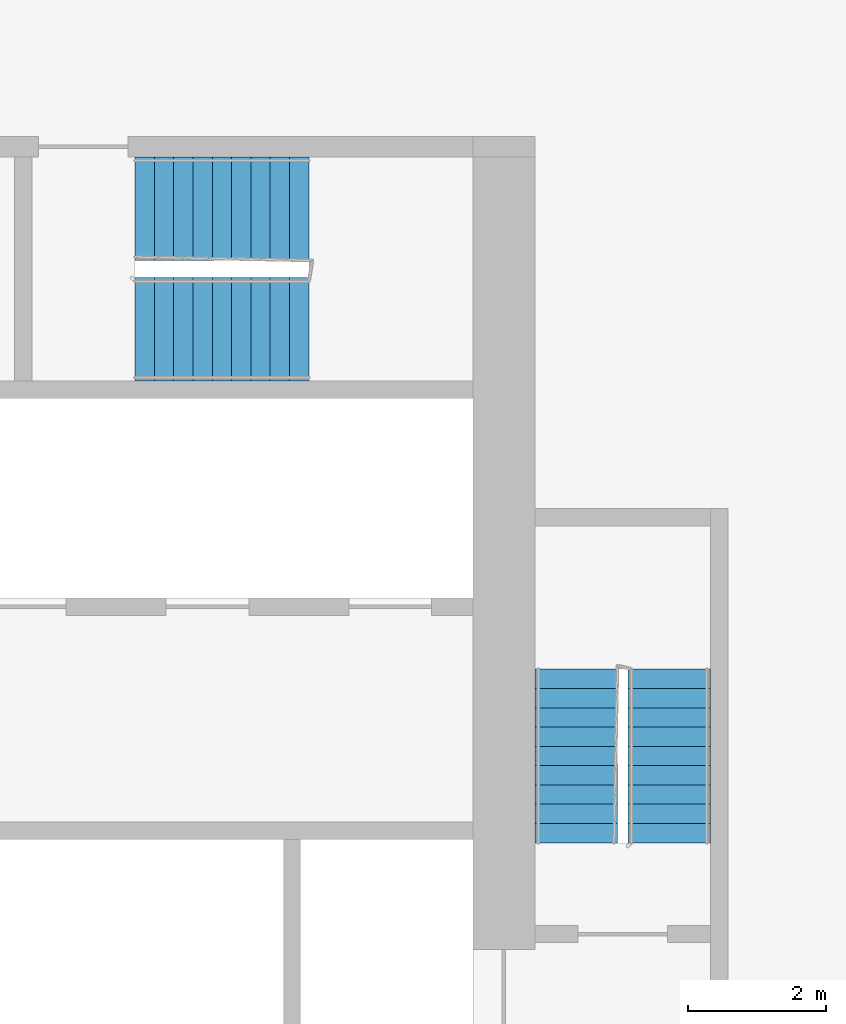
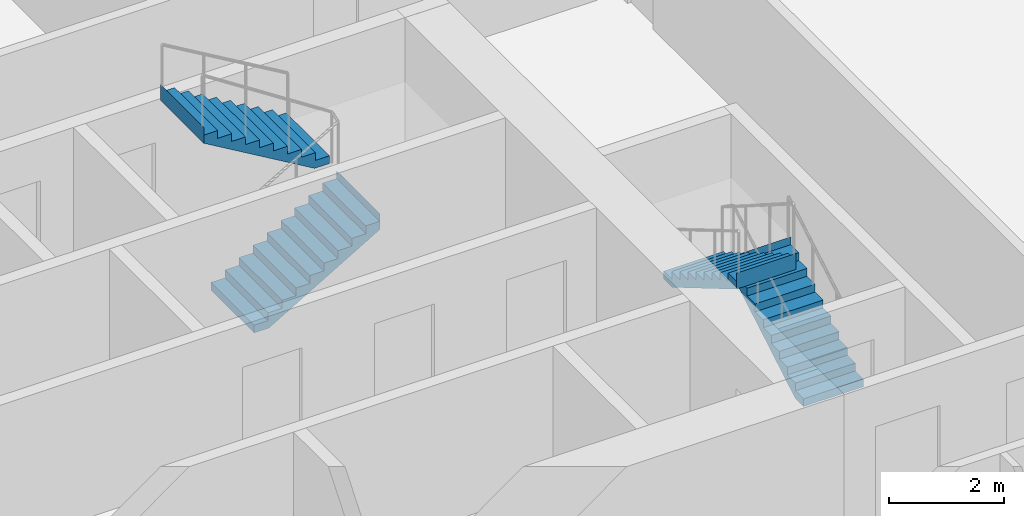
# One storey, part 11 of 12: 4 stair flights, 2 elements without a shape of their own.
"""IFC4 building model written with IfcOpenShell, lengths in metres."""

from ifc_helpers import new_model, si_unit, direction, frame, origin, place, context, subcontext, project, spatial, faceted_brep, material, type_object, element, aggregate, save


model = new_model("IFC4")

# Units and contexts
model_context = context("Model", 3, precision=1e-05, world=origin(), true_north=direction((0.0, 1.0)))
body_context = subcontext(model_context, "Body", "Model", "MODEL_VIEW")
ifc_project = project(units=[si_unit("LENGTHUNIT", "METRE"), si_unit("AREAUNIT", "SQUARE_METRE"), si_unit("VOLUMEUNIT", "CUBIC_METRE"), si_unit("PLANEANGLEUNIT", "RADIAN"), si_unit("MASSUNIT", "GRAM", prefix="KILO")], contexts=[model_context])

# Site, building, storey
site_placement = place(None, origin())
site = spatial("IfcSite", under=ifc_project, at=site_placement, CompositionType="ELEMENT")
building_placement = place(site_placement, origin())
building = spatial("IfcBuilding", under=site, at=building_placement, Name="Kajstack Hotel Tower", CompositionType="ELEMENT")
storey_placement = place(building_placement, frame((0.0, 0.0, 147.10009765625)))
storey = spatial("IfcBuildingStorey", under=building, at=storey_placement, Name="L34", CompositionType="ELEMENT", Elevation=147.10009765625)

# Stair, stair flights
ifc_material = material(Name="Concrete C40/50", Category="concrete")
stair_type_1 = type_object("IfcStairType", Name="Exit stair 1200", PredefinedType="HALF_TURN_STAIR", material=ifc_material)
stair_1_placement = place(storey_placement, origin())
stair_1 = element("IfcStair", 1, at=stair_1_placement, inside=storey, type_object=stair_type_1, Name="L34 stair E1", PredefinedType="HALF_TURN_STAIR")
stair_flight_type_1 = type_object("IfcStairFlightType", Name="Exit stair flight 1200", PredefinedType="STRAIGHT", material=ifc_material)
stair_flight_1_placement = place(storey_placement, frame((33.449951171875, 5.25, 0.0), z_axis=(0.0, 0.0, 1.0), x_axis=(0.0, 1.0, 0.0)))
stair_flight_1 = element("IfcStairFlight", 2, at=stair_flight_1_placement, type_object=stair_flight_type_1, Name="E1 flight 1", NumberOfRisers=10, NumberOfTreads=9, PredefinedType="STRAIGHT", RiserHeight=0.165, TreadLength=0.28, context=body_context, shape_type="Brep", body=[
    faceted_brep([(0.295654296875, -0.60009765625, 0.0), (2.5205078125, -0.60009765625, 1.31103515625), (2.5205078125, -0.60009765625, 1.64990234375), (2.52001953125, -0.60009765625, 1.64990234375), (2.52001953125, -0.60009765625, 1.485107421875), (2.239990234375, -0.60009765625, 1.485107421875), (2.239990234375, -0.60009765625, 1.320068359375), (1.9599609375, -0.60009765625, 1.320068359375), (1.9599609375, -0.60009765625, 1.155029296875), (1.679931640625, -0.60009765625, 1.155029296875), (1.679931640625, -0.60009765625, 0.989990234375), (1.39990234375, -0.60009765625, 0.989990234375), (1.39990234375, -0.60009765625, 0.824951171875), (1.1201171875, -0.60009765625, 0.824951171875), (1.1201171875, -0.60009765625, 0.659912109375), (0.840087890625, -0.60009765625, 0.659912109375), (0.840087890625, -0.60009765625, 0.4951171875), (0.56005859375, -0.60009765625, 0.4951171875), (0.56005859375, -0.60009765625, 0.330078125), (0.280029296875, -0.60009765625, 0.330078125), (0.280029296875, -0.60009765625, 0.1650390625), (-0.00048828125, -0.60009765625, 0.1650390625), (-0.00048828125, -0.60009765625, 0.0), (-0.00048828125, 0.60009765625, 0.0), (-0.00048828125, 0.60009765625, 0.1650390625), (0.280029296875, 0.60009765625, 0.1650390625), (0.280029296875, 0.60009765625, 0.330078125), (0.56005859375, 0.60009765625, 0.330078125), (0.56005859375, 0.60009765625, 0.4951171875), (0.840087890625, 0.60009765625, 0.4951171875), (0.840087890625, 0.60009765625, 0.659912109375), (1.1201171875, 0.60009765625, 0.659912109375), (1.1201171875, 0.60009765625, 0.824951171875), (1.39990234375, 0.60009765625, 0.824951171875), (1.39990234375, 0.60009765625, 0.989990234375), (1.679931640625, 0.60009765625, 0.989990234375), (1.679931640625, 0.60009765625, 1.155029296875), (1.9599609375, 0.60009765625, 1.155029296875), (1.9599609375, 0.60009765625, 1.320068359375), (2.239990234375, 0.60009765625, 1.320068359375), (2.239990234375, 0.60009765625, 1.485107421875), (2.52001953125, 0.60009765625, 1.485107421875), (2.52001953125, 0.60009765625, 1.64990234375), (2.5205078125, 0.60009765625, 1.64990234375), (2.5205078125, 0.60009765625, 1.31103515625), (0.295654296875, 0.60009765625, 0.0), (-0.00048828125, -0.300048828125, 0.1650390625), (-0.00048828125, 0.0, 0.1650390625), (-0.00048828125, 0.300048828125, 0.1650390625), (-0.00048828125, 0.300048828125, 0.0), (-0.00048828125, 0.0, 0.0), (-0.00048828125, -0.300048828125, 0.0), (0.280029296875, -0.300048828125, 0.1650390625), (0.280029296875, 0.0, 0.1650390625), (0.280029296875, 0.300048828125, 0.1650390625), (0.280029296875, -0.300048828125, 0.330078125), (0.280029296875, 0.0, 0.330078125), (0.280029296875, 0.300048828125, 0.330078125), (0.56005859375, -0.300048828125, 0.330078125), (0.56005859375, 0.0, 0.330078125), (0.56005859375, 0.300048828125, 0.330078125), (0.56005859375, -0.300048828125, 0.4951171875), (0.56005859375, 0.0, 0.4951171875), (0.56005859375, 0.300048828125, 0.4951171875), (0.840087890625, -0.300048828125, 0.4951171875), (0.840087890625, 0.0, 0.4951171875), (0.840087890625, 0.300048828125, 0.4951171875), (0.840087890625, -0.300048828125, 0.659912109375), (0.840087890625, 0.0, 0.659912109375), (0.840087890625, 0.300048828125, 0.659912109375), (1.1201171875, -0.300048828125, 0.659912109375), (1.1201171875, 0.0, 0.659912109375), (1.1201171875, 0.300048828125, 0.659912109375), (1.1201171875, -0.300048828125, 0.824951171875), (1.1201171875, 0.0, 0.824951171875), (1.1201171875, 0.300048828125, 0.824951171875), (1.39990234375, -0.300048828125, 0.824951171875), (1.39990234375, 0.0, 0.824951171875), (1.39990234375, 0.300048828125, 0.824951171875), (1.39990234375, -0.300048828125, 0.989990234375), (1.39990234375, 0.0, 0.989990234375), (1.39990234375, 0.300048828125, 0.989990234375), (1.679931640625, -0.300048828125, 0.989990234375), (1.679931640625, 0.0, 0.989990234375), (1.679931640625, 0.300048828125, 0.989990234375), (1.679931640625, -0.300048828125, 1.155029296875), (1.679931640625, 0.0, 1.155029296875), (1.679931640625, 0.300048828125, 1.155029296875), (1.9599609375, -0.300048828125, 1.155029296875), (1.9599609375, 0.0, 1.155029296875), (1.9599609375, 0.300048828125, 1.155029296875), (1.9599609375, -0.300048828125, 1.320068359375), (1.9599609375, 0.0, 1.320068359375), (1.9599609375, 0.300048828125, 1.320068359375), (2.239990234375, -0.300048828125, 1.320068359375), (2.239990234375, 0.0, 1.320068359375), (2.239990234375, 0.300048828125, 1.320068359375), (2.239990234375, -0.300048828125, 1.485107421875), (2.239990234375, 0.0, 1.485107421875), (2.239990234375, 0.300048828125, 1.485107421875), (2.52001953125, -0.300048828125, 1.485107421875), (2.52001953125, 0.0, 1.485107421875), (2.52001953125, 0.300048828125, 1.485107421875), (2.52001953125, -0.300048828125, 1.64990234375), (2.52001953125, 0.0, 1.64990234375), (2.52001953125, 0.300048828125, 1.64990234375), (2.5205078125, -0.300048828125, 1.64990234375), (2.5205078125, 0.0, 1.64990234375), (2.5205078125, 0.300048828125, 1.64990234375), (2.5205078125, -0.300048828125, 1.31103515625), (2.5205078125, 0.0, 1.31103515625), (2.5205078125, 0.300048828125, 1.31103515625), (0.295654296875, -0.300048828125, 0.0), (0.295654296875, 0.0, 0.0), (0.295654296875, 0.300048828125, 0.0)], [[[0, 1, 2, 3, 4, 5, 6, 7, 8, 9, 10, 11, 12, 13, 14, 15, 16, 17, 18, 19, 20, 21, 22]], [[23, 24, 25, 26, 27, 28, 29, 30, 31, 32, 33, 34, 35, 36, 37, 38, 39, 40, 41, 42, 43, 44, 45]], [[21, 46, 47, 48, 24, 23, 49, 50, 51, 22]], [[20, 52, 53, 54, 25, 24, 48, 47, 46, 21]], [[19, 55, 56, 57, 26, 25, 54, 53, 52, 20]], [[18, 58, 59, 60, 27, 26, 57, 56, 55, 19]], [[17, 61, 62, 63, 28, 27, 60, 59, 58, 18]], [[16, 64, 65, 66, 29, 28, 63, 62, 61, 17]], [[15, 67, 68, 69, 30, 29, 66, 65, 64, 16]], [[14, 70, 71, 72, 31, 30, 69, 68, 67, 15]], [[13, 73, 74, 75, 32, 31, 72, 71, 70, 14]], [[12, 76, 77, 78, 33, 32, 75, 74, 73, 13]], [[11, 79, 80, 81, 34, 33, 78, 77, 76, 12]], [[10, 82, 83, 84, 35, 34, 81, 80, 79, 11]], [[9, 85, 86, 87, 36, 35, 84, 83, 82, 10]], [[8, 88, 89, 90, 37, 36, 87, 86, 85, 9]], [[7, 91, 92, 93, 38, 37, 90, 89, 88, 8]], [[6, 94, 95, 96, 39, 38, 93, 92, 91, 7]], [[5, 97, 98, 99, 40, 39, 96, 95, 94, 6]], [[4, 100, 101, 102, 41, 40, 99, 98, 97, 5]], [[3, 103, 104, 105, 42, 41, 102, 101, 100, 4]], [[2, 106, 107, 108, 43, 42, 105, 104, 103, 3]], [[1, 109, 110, 111, 44, 43, 108, 107, 106, 2]], [[0, 112, 113, 114, 45, 44, 111, 110, 109, 1]], [[22, 51, 50, 49, 23, 45, 114, 113, 112, 0]]]),
])
stair_flight_2_placement = place(storey_placement, frame((32.10009765625, 7.77001953125, 1.64990234375), z_axis=(0.0, 0.0, 1.0), x_axis=(0.0, -1.0, 0.0)))
stair_flight_2 = element("IfcStairFlight", 3, at=stair_flight_2_placement, type_object=stair_flight_type_1, Name="E1 flight 2", NumberOfRisers=10, NumberOfTreads=9, PredefinedType="STRAIGHT", RiserHeight=0.165, TreadLength=0.28, context=body_context, shape_type="Brep", body=[
    faceted_brep([(0.295654296875, -0.60009765625, 0.0), (2.5205078125, -0.60009765625, 1.31103515625), (2.5205078125, -0.60009765625, 1.64990234375), (2.52001953125, -0.60009765625, 1.64990234375), (2.52001953125, -0.60009765625, 1.485107421875), (2.239990234375, -0.60009765625, 1.485107421875), (2.239990234375, -0.60009765625, 1.320068359375), (1.9599609375, -0.60009765625, 1.320068359375), (1.9599609375, -0.60009765625, 1.155029296875), (1.679931640625, -0.60009765625, 1.155029296875), (1.679931640625, -0.60009765625, 0.989990234375), (1.39990234375, -0.60009765625, 0.989990234375), (1.39990234375, -0.60009765625, 0.824951171875), (1.1201171875, -0.60009765625, 0.824951171875), (1.1201171875, -0.60009765625, 0.659912109375), (0.840087890625, -0.60009765625, 0.659912109375), (0.840087890625, -0.60009765625, 0.4951171875), (0.56005859375, -0.60009765625, 0.4951171875), (0.56005859375, -0.60009765625, 0.330078125), (0.280029296875, -0.60009765625, 0.330078125), (0.280029296875, -0.60009765625, 0.1650390625), (-0.00048828125, -0.60009765625, 0.1650390625), (-0.00048828125, -0.60009765625, 0.0), (-0.00048828125, 0.60009765625, 0.0), (-0.00048828125, 0.60009765625, 0.1650390625), (0.280029296875, 0.60009765625, 0.1650390625), (0.280029296875, 0.60009765625, 0.330078125), (0.56005859375, 0.60009765625, 0.330078125), (0.56005859375, 0.60009765625, 0.4951171875), (0.840087890625, 0.60009765625, 0.4951171875), (0.840087890625, 0.60009765625, 0.659912109375), (1.1201171875, 0.60009765625, 0.659912109375), (1.1201171875, 0.60009765625, 0.824951171875), (1.39990234375, 0.60009765625, 0.824951171875), (1.39990234375, 0.60009765625, 0.989990234375), (1.679931640625, 0.60009765625, 0.989990234375), (1.679931640625, 0.60009765625, 1.155029296875), (1.9599609375, 0.60009765625, 1.155029296875), (1.9599609375, 0.60009765625, 1.320068359375), (2.239990234375, 0.60009765625, 1.320068359375), (2.239990234375, 0.60009765625, 1.485107421875), (2.52001953125, 0.60009765625, 1.485107421875), (2.52001953125, 0.60009765625, 1.64990234375), (2.5205078125, 0.60009765625, 1.64990234375), (2.5205078125, 0.60009765625, 1.31103515625), (0.295654296875, 0.60009765625, 0.0), (-0.00048828125, -0.300048828125, 0.1650390625), (-0.00048828125, 0.0, 0.1650390625), (-0.00048828125, 0.300048828125, 0.1650390625), (-0.00048828125, 0.300048828125, 0.0), (-0.00048828125, 0.0, 0.0), (-0.00048828125, -0.300048828125, 0.0), (0.280029296875, -0.300048828125, 0.1650390625), (0.280029296875, 0.0, 0.1650390625), (0.280029296875, 0.300048828125, 0.1650390625), (0.280029296875, -0.300048828125, 0.330078125), (0.280029296875, 0.0, 0.330078125), (0.280029296875, 0.300048828125, 0.330078125), (0.56005859375, -0.300048828125, 0.330078125), (0.56005859375, 0.0, 0.330078125), (0.56005859375, 0.300048828125, 0.330078125), (0.56005859375, -0.300048828125, 0.4951171875), (0.56005859375, 0.0, 0.4951171875), (0.56005859375, 0.300048828125, 0.4951171875), (0.840087890625, -0.300048828125, 0.4951171875), (0.840087890625, 0.0, 0.4951171875), (0.840087890625, 0.300048828125, 0.4951171875), (0.840087890625, -0.300048828125, 0.659912109375), (0.840087890625, 0.0, 0.659912109375), (0.840087890625, 0.300048828125, 0.659912109375), (1.1201171875, -0.300048828125, 0.659912109375), (1.1201171875, 0.0, 0.659912109375), (1.1201171875, 0.300048828125, 0.659912109375), (1.1201171875, -0.300048828125, 0.824951171875), (1.1201171875, 0.0, 0.824951171875), (1.1201171875, 0.300048828125, 0.824951171875), (1.39990234375, -0.300048828125, 0.824951171875), (1.39990234375, 0.0, 0.824951171875), (1.39990234375, 0.300048828125, 0.824951171875), (1.39990234375, -0.300048828125, 0.989990234375), (1.39990234375, 0.0, 0.989990234375), (1.39990234375, 0.300048828125, 0.989990234375), (1.679931640625, -0.300048828125, 0.989990234375), (1.679931640625, 0.0, 0.989990234375), (1.679931640625, 0.300048828125, 0.989990234375), (1.679931640625, -0.300048828125, 1.155029296875), (1.679931640625, 0.0, 1.155029296875), (1.679931640625, 0.300048828125, 1.155029296875), (1.9599609375, -0.300048828125, 1.155029296875), (1.9599609375, 0.0, 1.155029296875), (1.9599609375, 0.300048828125, 1.155029296875), (1.9599609375, -0.300048828125, 1.320068359375), (1.9599609375, 0.0, 1.320068359375), (1.9599609375, 0.300048828125, 1.320068359375), (2.239990234375, -0.300048828125, 1.320068359375), (2.239990234375, 0.0, 1.320068359375), (2.239990234375, 0.300048828125, 1.320068359375), (2.239990234375, -0.300048828125, 1.485107421875), (2.239990234375, 0.0, 1.485107421875), (2.239990234375, 0.300048828125, 1.485107421875), (2.52001953125, -0.300048828125, 1.485107421875), (2.52001953125, 0.0, 1.485107421875), (2.52001953125, 0.300048828125, 1.485107421875), (2.52001953125, -0.300048828125, 1.64990234375), (2.52001953125, 0.0, 1.64990234375), (2.52001953125, 0.300048828125, 1.64990234375), (2.5205078125, -0.300048828125, 1.64990234375), (2.5205078125, 0.0, 1.64990234375), (2.5205078125, 0.300048828125, 1.64990234375), (2.5205078125, -0.300048828125, 1.31103515625), (2.5205078125, 0.0, 1.31103515625), (2.5205078125, 0.300048828125, 1.31103515625), (0.295654296875, -0.300048828125, 0.0), (0.295654296875, 0.0, 0.0), (0.295654296875, 0.300048828125, 0.0)], [[[0, 1, 2, 3, 4, 5, 6, 7, 8, 9, 10, 11, 12, 13, 14, 15, 16, 17, 18, 19, 20, 21, 22]], [[23, 24, 25, 26, 27, 28, 29, 30, 31, 32, 33, 34, 35, 36, 37, 38, 39, 40, 41, 42, 43, 44, 45]], [[21, 46, 47, 48, 24, 23, 49, 50, 51, 22]], [[20, 52, 53, 54, 25, 24, 48, 47, 46, 21]], [[19, 55, 56, 57, 26, 25, 54, 53, 52, 20]], [[18, 58, 59, 60, 27, 26, 57, 56, 55, 19]], [[17, 61, 62, 63, 28, 27, 60, 59, 58, 18]], [[16, 64, 65, 66, 29, 28, 63, 62, 61, 17]], [[15, 67, 68, 69, 30, 29, 66, 65, 64, 16]], [[14, 70, 71, 72, 31, 30, 69, 68, 67, 15]], [[13, 73, 74, 75, 32, 31, 72, 71, 70, 14]], [[12, 76, 77, 78, 33, 32, 75, 74, 73, 13]], [[11, 79, 80, 81, 34, 33, 78, 77, 76, 12]], [[10, 82, 83, 84, 35, 34, 81, 80, 79, 11]], [[9, 85, 86, 87, 36, 35, 84, 83, 82, 10]], [[8, 88, 89, 90, 37, 36, 87, 86, 85, 9]], [[7, 91, 92, 93, 38, 37, 90, 89, 88, 8]], [[6, 94, 95, 96, 39, 38, 93, 92, 91, 7]], [[5, 97, 98, 99, 40, 39, 96, 95, 94, 6]], [[4, 100, 101, 102, 41, 40, 99, 98, 97, 5]], [[3, 103, 104, 105, 42, 41, 102, 101, 100, 4]], [[2, 106, 107, 108, 43, 42, 105, 104, 103, 3]], [[1, 109, 110, 111, 44, 43, 108, 107, 106, 2]], [[0, 112, 113, 114, 45, 44, 111, 110, 109, 1]], [[22, 51, 50, 49, 23, 45, 114, 113, 112, 0]]]),
])
aggregate(stair_1, [stair_flight_1, stair_flight_2])

stair_type_2 = type_object("IfcStairType", Name="Exit stair 1500", PredefinedType="HALF_TURN_STAIR", material=ifc_material)
stair_2_placement = place(storey_placement, origin())
stair_2 = element("IfcStair", 4, at=stair_2_placement, inside=storey, type_object=stair_type_2, Name="L34 stair E3", PredefinedType="HALF_TURN_STAIR")
stair_flight_type_2 = type_object("IfcStairFlightType", Name="Exit stair flight 1500", PredefinedType="STRAIGHT", material=ifc_material)
stair_flight_3_placement = place(storey_placement, frame((25.699951171875, 12.699951171875, 0.0), z_axis=(0.0, 0.0, 1.0), x_axis=(1.0, 0.0, 0.0)))
stair_flight_3 = element("IfcStairFlight", 5, at=stair_flight_3_placement, type_object=stair_flight_type_2, Name="E3 flight 1", NumberOfRisers=10, NumberOfTreads=9, PredefinedType="STRAIGHT", RiserHeight=0.165, TreadLength=0.28, context=body_context, shape_type="Brep", body=[
    faceted_brep([(0.295654296875, -0.75, 0.0), (2.5205078125, -0.75, 1.31103515625), (2.5205078125, -0.75, 1.64990234375), (2.52001953125, -0.75, 1.64990234375), (2.52001953125, -0.75, 1.485107421875), (2.239990234375, -0.75, 1.485107421875), (2.239990234375, -0.75, 1.320068359375), (1.9599609375, -0.75, 1.320068359375), (1.9599609375, -0.75, 1.155029296875), (1.679931640625, -0.75, 1.155029296875), (1.679931640625, -0.75, 0.989990234375), (1.39990234375, -0.75, 0.989990234375), (1.39990234375, -0.75, 0.824951171875), (1.1201171875, -0.75, 0.824951171875), (1.1201171875, -0.75, 0.659912109375), (0.840087890625, -0.75, 0.659912109375), (0.840087890625, -0.75, 0.4951171875), (0.56005859375, -0.75, 0.4951171875), (0.56005859375, -0.75, 0.330078125), (0.280029296875, -0.75, 0.330078125), (0.280029296875, -0.75, 0.1650390625), (-0.00048828125, -0.75, 0.1650390625), (-0.00048828125, -0.75, 0.0), (-0.00048828125, 0.75, 0.0), (-0.00048828125, 0.75, 0.1650390625), (0.280029296875, 0.75, 0.1650390625), (0.280029296875, 0.75, 0.330078125), (0.56005859375, 0.75, 0.330078125), (0.56005859375, 0.75, 0.4951171875), (0.840087890625, 0.75, 0.4951171875), (0.840087890625, 0.75, 0.659912109375), (1.1201171875, 0.75, 0.659912109375), (1.1201171875, 0.75, 0.824951171875), (1.39990234375, 0.75, 0.824951171875), (1.39990234375, 0.75, 0.989990234375), (1.679931640625, 0.75, 0.989990234375), (1.679931640625, 0.75, 1.155029296875), (1.9599609375, 0.75, 1.155029296875), (1.9599609375, 0.75, 1.320068359375), (2.239990234375, 0.75, 1.320068359375), (2.239990234375, 0.75, 1.485107421875), (2.52001953125, 0.75, 1.485107421875), (2.52001953125, 0.75, 1.64990234375), (2.5205078125, 0.75, 1.64990234375), (2.5205078125, 0.75, 1.31103515625), (0.295654296875, 0.75, 0.0), (-0.00048828125, -0.375, 0.1650390625), (-0.00048828125, 0.0, 0.1650390625), (-0.00048828125, 0.375, 0.1650390625), (-0.00048828125, 0.375, 0.0), (-0.00048828125, 0.0, 0.0), (-0.00048828125, -0.375, 0.0), (0.280029296875, -0.375, 0.1650390625), (0.280029296875, 0.0, 0.1650390625), (0.280029296875, 0.375, 0.1650390625), (0.280029296875, -0.375, 0.330078125), (0.280029296875, 0.0, 0.330078125), (0.280029296875, 0.375, 0.330078125), (0.56005859375, -0.375, 0.330078125), (0.56005859375, 0.0, 0.330078125), (0.56005859375, 0.375, 0.330078125), (0.56005859375, -0.375, 0.4951171875), (0.56005859375, 0.0, 0.4951171875), (0.56005859375, 0.375, 0.4951171875), (0.840087890625, -0.375, 0.4951171875), (0.840087890625, 0.0, 0.4951171875), (0.840087890625, 0.375, 0.4951171875), (0.840087890625, -0.375, 0.659912109375), (0.840087890625, 0.0, 0.659912109375), (0.840087890625, 0.375, 0.659912109375), (1.1201171875, -0.375, 0.659912109375), (1.1201171875, 0.0, 0.659912109375), (1.1201171875, 0.375, 0.659912109375), (1.1201171875, -0.375, 0.824951171875), (1.1201171875, 0.0, 0.824951171875), (1.1201171875, 0.375, 0.824951171875), (1.39990234375, -0.375, 0.824951171875), (1.39990234375, 0.0, 0.824951171875), (1.39990234375, 0.375, 0.824951171875), (1.39990234375, -0.375, 0.989990234375), (1.39990234375, 0.0, 0.989990234375), (1.39990234375, 0.375, 0.989990234375), (1.679931640625, -0.375, 0.989990234375), (1.679931640625, 0.0, 0.989990234375), (1.679931640625, 0.375, 0.989990234375), (1.679931640625, -0.375, 1.155029296875), (1.679931640625, 0.0, 1.155029296875), (1.679931640625, 0.375, 1.155029296875), (1.9599609375, -0.375, 1.155029296875), (1.9599609375, 0.0, 1.155029296875), (1.9599609375, 0.375, 1.155029296875), (1.9599609375, -0.375, 1.320068359375), (1.9599609375, 0.0, 1.320068359375), (1.9599609375, 0.375, 1.320068359375), (2.239990234375, -0.375, 1.320068359375), (2.239990234375, 0.0, 1.320068359375), (2.239990234375, 0.375, 1.320068359375), (2.239990234375, -0.375, 1.485107421875), (2.239990234375, 0.0, 1.485107421875), (2.239990234375, 0.375, 1.485107421875), (2.52001953125, -0.375, 1.485107421875), (2.52001953125, 0.0, 1.485107421875), (2.52001953125, 0.375, 1.485107421875), (2.52001953125, -0.375, 1.64990234375), (2.52001953125, 0.0, 1.64990234375), (2.52001953125, 0.375, 1.64990234375), (2.5205078125, -0.375, 1.64990234375), (2.5205078125, 0.0, 1.64990234375), (2.5205078125, 0.375, 1.64990234375), (2.5205078125, -0.375, 1.31103515625), (2.5205078125, 0.0, 1.31103515625), (2.5205078125, 0.375, 1.31103515625), (0.295654296875, -0.375, 0.0), (0.295654296875, 0.0, 0.0), (0.295654296875, 0.375, 0.0)], [[[0, 1, 2, 3, 4, 5, 6, 7, 8, 9, 10, 11, 12, 13, 14, 15, 16, 17, 18, 19, 20, 21, 22]], [[23, 24, 25, 26, 27, 28, 29, 30, 31, 32, 33, 34, 35, 36, 37, 38, 39, 40, 41, 42, 43, 44, 45]], [[21, 46, 47, 48, 24, 23, 49, 50, 51, 22]], [[20, 52, 53, 54, 25, 24, 48, 47, 46, 21]], [[19, 55, 56, 57, 26, 25, 54, 53, 52, 20]], [[18, 58, 59, 60, 27, 26, 57, 56, 55, 19]], [[17, 61, 62, 63, 28, 27, 60, 59, 58, 18]], [[16, 64, 65, 66, 29, 28, 63, 62, 61, 17]], [[15, 67, 68, 69, 30, 29, 66, 65, 64, 16]], [[14, 70, 71, 72, 31, 30, 69, 68, 67, 15]], [[13, 73, 74, 75, 32, 31, 72, 71, 70, 14]], [[12, 76, 77, 78, 33, 32, 75, 74, 73, 13]], [[11, 79, 80, 81, 34, 33, 78, 77, 76, 12]], [[10, 82, 83, 84, 35, 34, 81, 80, 79, 11]], [[9, 85, 86, 87, 36, 35, 84, 83, 82, 10]], [[8, 88, 89, 90, 37, 36, 87, 86, 85, 9]], [[7, 91, 92, 93, 38, 37, 90, 89, 88, 8]], [[6, 94, 95, 96, 39, 38, 93, 92, 91, 7]], [[5, 97, 98, 99, 40, 39, 96, 95, 94, 6]], [[4, 100, 101, 102, 41, 40, 99, 98, 97, 5]], [[3, 103, 104, 105, 42, 41, 102, 101, 100, 4]], [[2, 106, 107, 108, 43, 42, 105, 104, 103, 3]], [[1, 109, 110, 111, 44, 43, 108, 107, 106, 2]], [[0, 112, 113, 114, 45, 44, 111, 110, 109, 1]], [[22, 51, 50, 49, 23, 45, 114, 113, 112, 0]]]),
])
stair_flight_4_placement = place(storey_placement, frame((28.219970703125, 14.449951171875, 1.64990234375), z_axis=(0.0, 0.0, 1.0), x_axis=(-1.0, 0.0, 0.0)))
stair_flight_4 = element("IfcStairFlight", 6, at=stair_flight_4_placement, type_object=stair_flight_type_2, Name="E3 flight 2", NumberOfRisers=10, NumberOfTreads=9, PredefinedType="STRAIGHT", RiserHeight=0.165, TreadLength=0.28, context=body_context, shape_type="Brep", body=[
    faceted_brep([(0.295654296875, -0.75, 0.0), (2.5205078125, -0.75, 1.31103515625), (2.5205078125, -0.75, 1.64990234375), (2.52001953125, -0.75, 1.64990234375), (2.52001953125, -0.75, 1.485107421875), (2.239990234375, -0.75, 1.485107421875), (2.239990234375, -0.75, 1.320068359375), (1.9599609375, -0.75, 1.320068359375), (1.9599609375, -0.75, 1.155029296875), (1.679931640625, -0.75, 1.155029296875), (1.679931640625, -0.75, 0.989990234375), (1.39990234375, -0.75, 0.989990234375), (1.39990234375, -0.75, 0.824951171875), (1.1201171875, -0.75, 0.824951171875), (1.1201171875, -0.75, 0.659912109375), (0.840087890625, -0.75, 0.659912109375), (0.840087890625, -0.75, 0.4951171875), (0.56005859375, -0.75, 0.4951171875), (0.56005859375, -0.75, 0.330078125), (0.280029296875, -0.75, 0.330078125), (0.280029296875, -0.75, 0.1650390625), (-0.00048828125, -0.75, 0.1650390625), (-0.00048828125, -0.75, 0.0), (-0.00048828125, 0.75, 0.0), (-0.00048828125, 0.75, 0.1650390625), (0.280029296875, 0.75, 0.1650390625), (0.280029296875, 0.75, 0.330078125), (0.56005859375, 0.75, 0.330078125), (0.56005859375, 0.75, 0.4951171875), (0.840087890625, 0.75, 0.4951171875), (0.840087890625, 0.75, 0.659912109375), (1.1201171875, 0.75, 0.659912109375), (1.1201171875, 0.75, 0.824951171875), (1.39990234375, 0.75, 0.824951171875), (1.39990234375, 0.75, 0.989990234375), (1.679931640625, 0.75, 0.989990234375), (1.679931640625, 0.75, 1.155029296875), (1.9599609375, 0.75, 1.155029296875), (1.9599609375, 0.75, 1.320068359375), (2.239990234375, 0.75, 1.320068359375), (2.239990234375, 0.75, 1.485107421875), (2.52001953125, 0.75, 1.485107421875), (2.52001953125, 0.75, 1.64990234375), (2.5205078125, 0.75, 1.64990234375), (2.5205078125, 0.75, 1.31103515625), (0.295654296875, 0.75, 0.0), (-0.00048828125, -0.375, 0.1650390625), (-0.00048828125, 0.0, 0.1650390625), (-0.00048828125, 0.375, 0.1650390625), (-0.00048828125, 0.375, 0.0), (-0.00048828125, 0.0, 0.0), (-0.00048828125, -0.375, 0.0), (0.280029296875, -0.375, 0.1650390625), (0.280029296875, 0.0, 0.1650390625), (0.280029296875, 0.375, 0.1650390625), (0.280029296875, -0.375, 0.330078125), (0.280029296875, 0.0, 0.330078125), (0.280029296875, 0.375, 0.330078125), (0.56005859375, -0.375, 0.330078125), (0.56005859375, 0.0, 0.330078125), (0.56005859375, 0.375, 0.330078125), (0.56005859375, -0.375, 0.4951171875), (0.56005859375, 0.0, 0.4951171875), (0.56005859375, 0.375, 0.4951171875), (0.840087890625, -0.375, 0.4951171875), (0.840087890625, 0.0, 0.4951171875), (0.840087890625, 0.375, 0.4951171875), (0.840087890625, -0.375, 0.659912109375), (0.840087890625, 0.0, 0.659912109375), (0.840087890625, 0.375, 0.659912109375), (1.1201171875, -0.375, 0.659912109375), (1.1201171875, 0.0, 0.659912109375), (1.1201171875, 0.375, 0.659912109375), (1.1201171875, -0.375, 0.824951171875), (1.1201171875, 0.0, 0.824951171875), (1.1201171875, 0.375, 0.824951171875), (1.39990234375, -0.375, 0.824951171875), (1.39990234375, 0.0, 0.824951171875), (1.39990234375, 0.375, 0.824951171875), (1.39990234375, -0.375, 0.989990234375), (1.39990234375, 0.0, 0.989990234375), (1.39990234375, 0.375, 0.989990234375), (1.679931640625, -0.375, 0.989990234375), (1.679931640625, 0.0, 0.989990234375), (1.679931640625, 0.375, 0.989990234375), (1.679931640625, -0.375, 1.155029296875), (1.679931640625, 0.0, 1.155029296875), (1.679931640625, 0.375, 1.155029296875), (1.9599609375, -0.375, 1.155029296875), (1.9599609375, 0.0, 1.155029296875), (1.9599609375, 0.375, 1.155029296875), (1.9599609375, -0.375, 1.320068359375), (1.9599609375, 0.0, 1.320068359375), (1.9599609375, 0.375, 1.320068359375), (2.239990234375, -0.375, 1.320068359375), (2.239990234375, 0.0, 1.320068359375), (2.239990234375, 0.375, 1.320068359375), (2.239990234375, -0.375, 1.485107421875), (2.239990234375, 0.0, 1.485107421875), (2.239990234375, 0.375, 1.485107421875), (2.52001953125, -0.375, 1.485107421875), (2.52001953125, 0.0, 1.485107421875), (2.52001953125, 0.375, 1.485107421875), (2.52001953125, -0.375, 1.64990234375), (2.52001953125, 0.0, 1.64990234375), (2.52001953125, 0.375, 1.64990234375), (2.5205078125, -0.375, 1.64990234375), (2.5205078125, 0.0, 1.64990234375), (2.5205078125, 0.375, 1.64990234375), (2.5205078125, -0.375, 1.31103515625), (2.5205078125, 0.0, 1.31103515625), (2.5205078125, 0.375, 1.31103515625), (0.295654296875, -0.375, 0.0), (0.295654296875, 0.0, 0.0), (0.295654296875, 0.375, 0.0)], [[[0, 1, 2, 3, 4, 5, 6, 7, 8, 9, 10, 11, 12, 13, 14, 15, 16, 17, 18, 19, 20, 21, 22]], [[23, 24, 25, 26, 27, 28, 29, 30, 31, 32, 33, 34, 35, 36, 37, 38, 39, 40, 41, 42, 43, 44, 45]], [[21, 46, 47, 48, 24, 23, 49, 50, 51, 22]], [[20, 52, 53, 54, 25, 24, 48, 47, 46, 21]], [[19, 55, 56, 57, 26, 25, 54, 53, 52, 20]], [[18, 58, 59, 60, 27, 26, 57, 56, 55, 19]], [[17, 61, 62, 63, 28, 27, 60, 59, 58, 18]], [[16, 64, 65, 66, 29, 28, 63, 62, 61, 17]], [[15, 67, 68, 69, 30, 29, 66, 65, 64, 16]], [[14, 70, 71, 72, 31, 30, 69, 68, 67, 15]], [[13, 73, 74, 75, 32, 31, 72, 71, 70, 14]], [[12, 76, 77, 78, 33, 32, 75, 74, 73, 13]], [[11, 79, 80, 81, 34, 33, 78, 77, 76, 12]], [[10, 82, 83, 84, 35, 34, 81, 80, 79, 11]], [[9, 85, 86, 87, 36, 35, 84, 83, 82, 10]], [[8, 88, 89, 90, 37, 36, 87, 86, 85, 9]], [[7, 91, 92, 93, 38, 37, 90, 89, 88, 8]], [[6, 94, 95, 96, 39, 38, 93, 92, 91, 7]], [[5, 97, 98, 99, 40, 39, 96, 95, 94, 6]], [[4, 100, 101, 102, 41, 40, 99, 98, 97, 5]], [[3, 103, 104, 105, 42, 41, 102, 101, 100, 4]], [[2, 106, 107, 108, 43, 42, 105, 104, 103, 3]], [[1, 109, 110, 111, 44, 43, 108, 107, 106, 2]], [[0, 112, 113, 114, 45, 44, 111, 110, 109, 1]], [[22, 51, 50, 49, 23, 45, 114, 113, 112, 0]]]),
])
aggregate(stair_2, [stair_flight_3, stair_flight_4])

save(model, "model.ifc")
